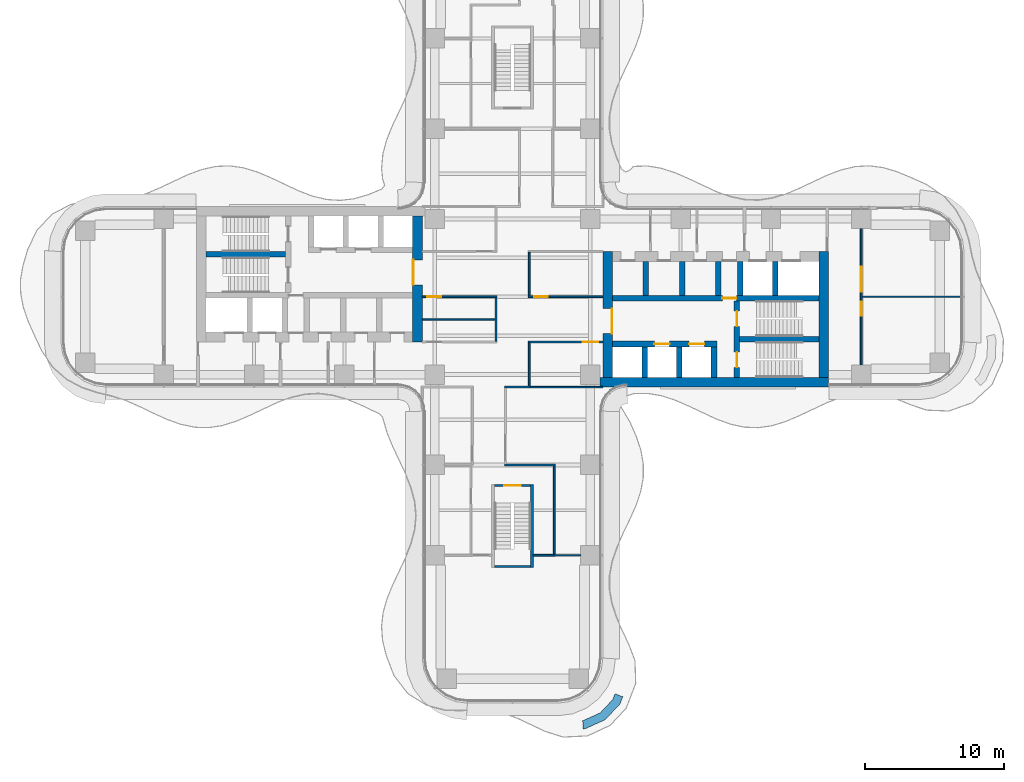
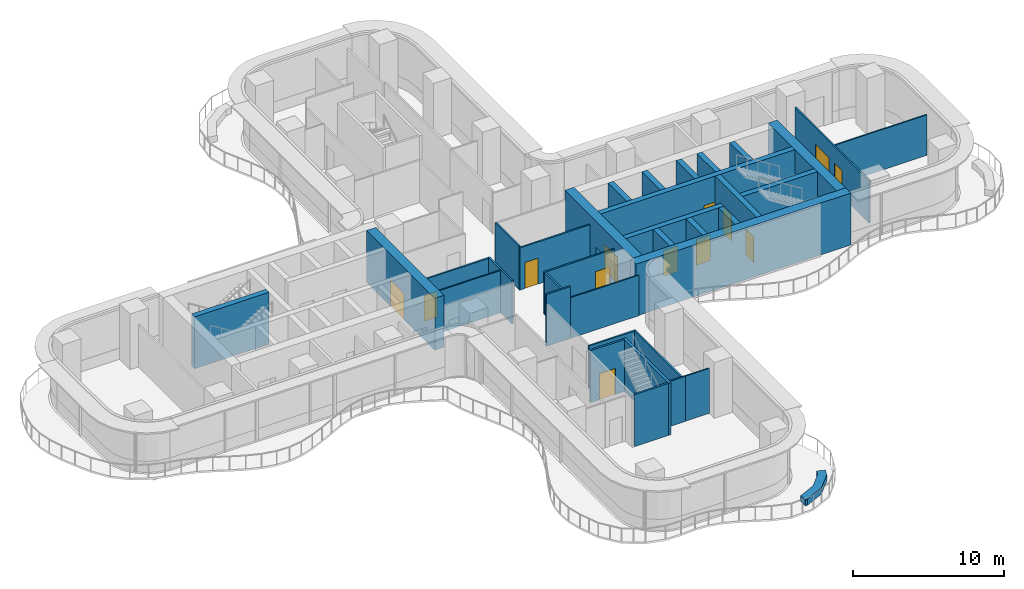
# One storey, part 18 of 22: 36 walls, 13 doors, 13 openings.
"""IFC4 building model written with IfcOpenShell, lengths in metres."""

from ifc_helpers import new_model, si_unit, direction, frame, frame_2d, origin, place, context, subcontext, project, spatial, polyline, rectangle, outline, extrude, source, transform, mapped, material, layer, layer_set, type_object, element, fill, save


model = new_model("IFC4")

# Units and contexts
model_context = context("Model", 3, precision=1e-05, world=origin(), true_north=direction((0.0, 1.0)))
body_context = subcontext(model_context, "Body", "Model", "MODEL_VIEW")
ifc_project = project(units=[si_unit("LENGTHUNIT", "METRE"), si_unit("AREAUNIT", "SQUARE_METRE"), si_unit("VOLUMEUNIT", "CUBIC_METRE"), si_unit("PLANEANGLEUNIT", "RADIAN"), si_unit("MASSUNIT", "GRAM", prefix="KILO")], contexts=[model_context])

# Site, building, storey
site_placement = place(None, origin())
site = spatial("IfcSite", under=ifc_project, at=site_placement, CompositionType="ELEMENT")
building_placement = place(site_placement, origin())
building = spatial("IfcBuilding", under=site, at=building_placement, Name="Trellis Farm Tower", CompositionType="ELEMENT")
storey_placement = place(building_placement, frame((0.0, 0.0, 88.0)))
storey = spatial("IfcBuildingStorey", under=building, at=storey_placement, Name="L18", CompositionType="ELEMENT", Elevation=88.0)

# Walls
ifc_material_1 = material(Name="Plasterboard on steel studs", Category="steel")
ifc_layer_1 = layer(ifc_material_1, 0.10009765625)
ifc_layer_set_1 = layer_set([ifc_layer_1], Name="PARTITION 100 STUD EI 30")
wall_type_1 = type_object("IfcWallType", Name="PARTITION 100 STUD EI 30", PredefinedType="PARTITIONING", material=ifc_layer_set_1)
wall_1_placement = place(storey_placement, frame((-6.5, -1.625, 0.0), z_axis=(0.0, 0.0, 1.0), x_axis=(1.0, 0.0, 0.0)))
element("IfcWall", 1, at=wall_1_placement, inside=storey, type_object=wall_type_1, Name="Partition PW2", PredefinedType="PARTITIONING", context=body_context, shape_type="SweptSolid", body=[
    extrude(rectangle(XDim=5.237548828125, YDim=0.10009765625, at=frame_2d((2.61865234375, 0.0))), origin(), (0.0, 0.0, 1.0), 3.417724609375),
])
wall_2_placement = place(storey_placement, frame((25.16259765625, 0.0, 0.0), z_axis=(0.0, 0.0, 1.0), x_axis=(1.0, 0.0, 0.0)))
element("IfcWall", 2, at=wall_2_placement, inside=storey, type_object=wall_type_1, Name="Partition PW2", PredefinedType="PARTITIONING", context=body_context, shape_type="SweptSolid", body=[
    extrude(rectangle(XDim=7.137451171875, YDim=0.10009765625, at=frame_2d((3.56884765625, 0.0))), origin(), (0.0, 0.0, 1.0), 3.280029296875),
])
ifc_material_2 = material(Name="Plasterboard on steel studs, mineral wool", Category="steel")
ifc_layer_2 = layer(ifc_material_2, 0.125)
ifc_layer_set_2 = layer_set([ifc_layer_2], Name="PARTITION 125 STUD EI 60")
wall_type_2 = type_object("IfcWallType", Name="PARTITION 125 STUD EI 60", PredefinedType="PARTITIONING", material=ifc_layer_set_2)
wall_3_placement = place(storey_placement, frame((3.0, -12.16259765625, 0.0), z_axis=(0.0, 0.0, 1.0), x_axis=(0.0, -1.0, 0.0)))
element("IfcWall", 3, at=wall_3_placement, inside=storey, type_object=wall_type_2, Name="Partition PW1", PredefinedType="PARTITIONING", context=body_context, shape_type="SweptSolid", body=[
    extrude(rectangle(XDim=6.387451171875, YDim=0.125, at=frame_2d((3.19384765625, 0.0))), origin(), (0.0, 0.0, 1.0), 3.417724609375),
])
ifc_material_3 = material(Name="Sandstone faced masonry planter", Category="masonry")
ifc_layer_3 = layer(ifc_material_3, 0.60009765625)
ifc_layer_set_3 = layer_set([ifc_layer_3], Name="PLANTER BED 600")
wall_type_3 = type_object("IfcWallType", Name="PLANTER BED 600", PredefinedType="USERDEFINED", material=ifc_layer_set_3)
wall_4_placement = place(storey_placement, origin())
element("IfcWall", 4, at=wall_4_placement, inside=storey, type_object=wall_type_3, Name="PLANTER bed", ObjectType="PLANTER", PredefinedType="USERDEFINED", context=body_context, shape_type="SweptSolid", body=[
    extrude(outline(polyline([(6.669921875, -30.438720703125), (5.242919921875, -31.087158203125), (5.072265625, -31.094482421875), (5.046630859375, -30.4951171875), (5.1005859375, -30.49267578125), (6.3134765625, -29.94140625), (7.216064453125, -28.979248046875), (7.371337890625, -28.571044921875), (7.93212890625, -28.784423828125), (7.734619140625, -29.30322265625), (6.669921875, -30.438720703125)])), origin(), (0.0, 0.0, 1.0), 0.5),
])

# Wall, opening, door
ifc_material_4 = material(Name="Concrete C80/95", Category="concrete")
ifc_layer_4 = layer(ifc_material_4, 0.699951171875)
ifc_layer_set_4 = layer_set([ifc_layer_4], Name="CORE OUTER WALL 700 CONCRETE C80/95")
wall_type_4 = type_object("IfcWallType", Name="CORE OUTER WALL 700 CONCRETE C80/95", PredefinedType="SHEAR", material=ifc_layer_set_4)
shared_shape_1 = source(origin(), body_context, "Body", "SweptSolid", [
    extrude(rectangle(XDim=9.050048828125, YDim=0.699951171875, at=frame_2d((4.52490234375, 0.0))), origin(), (0.0, 0.0, 1.0), 4.199951171875),
])
wall_5_placement = place(storey_placement, frame((6.85009765625, -5.800048828125, 0.0), z_axis=(0.0, 0.0, 1.0), x_axis=(0.0, 1.0, 0.0)))
wall_5 = element("IfcWall", 5, at=wall_5_placement, inside=storey, type_object=wall_type_4, Name="Core wall", PredefinedType="SHEAR", context=body_context, shape_type="MappedRepresentation", body=[
    mapped(shared_shape_1, transform((0.0, 0.0, 0.0))),
])
shared_shape_2 = source(origin(), body_context, "Body", "SweptSolid", [
    extrude(rectangle(XDim=1.800048828125, YDim=2.10009765625, at=frame_2d((0.89990234375, 1.050048828125))), frame((0.0, 0.360107421875, 0.0), z_axis=(0.0, -1.0, 0.0), x_axis=(1.0, 0.0, 0.0)), (0.0, 0.0, 1.0), 0.72021484375),
])
opening_1_placement = place(wall_5_placement, frame((3.14990234375, 0.0, 0.0)))
opening_1 = element("IfcOpeningElement", 6, at=opening_1_placement, cuts=wall_5, Name="Opening DC1", PredefinedType="OPENING", context=body_context, shape_type="MappedRepresentation", body=[
    mapped(shared_shape_2, transform((0.0, 0.0, 0.0))),
])
ifc_material_5 = material(Name="Steel", Category="steel")
door_type_1 = type_object("IfcDoorType", Name="CORE FIRE DOOR DOUBLE 1800 X 2100", OperationType="DOUBLE_DOOR_SINGLE_SWING", PredefinedType="DOOR", material=ifc_material_5)
shared_shape_3 = source(origin(), body_context, "Body", "SweptSolid", [
    extrude(rectangle(XDim=1.800048828125, YDim=2.10009765625, at=frame_2d((0.89990234375, 1.050048828125))), frame((0.0, -0.27490234375, 0.0), z_axis=(0.0, -1.0, 0.0), x_axis=(1.0, 0.0, 0.0)), (0.0, 0.0, 1.0), 0.050048828125),
])
door_1_placement = place(opening_1_placement, origin())
door_1 = element("IfcDoor", 7, at=door_1_placement, inside=storey, type_object=door_type_1, Name="Core door", OperationType="DOUBLE_DOOR_SINGLE_SWING", OverallHeight=2.10009765625, OverallWidth=1.800048828125, PredefinedType="DOOR", context=body_context, shape_type="MappedRepresentation", body=[
    mapped(shared_shape_3, transform((0.0, 0.0, 0.0))),
])
fill(opening_1, door_1)

# Wall
wall_6_placement = place(storey_placement, frame((22.39990234375, -5.800048828125, 0.0), z_axis=(0.0, 0.0, 1.0), x_axis=(0.0, 1.0, 0.0)))
element("IfcWall", 8, at=wall_6_placement, inside=storey, type_object=wall_type_4, Name="Core wall", PredefinedType="SHEAR", context=body_context, shape_type="MappedRepresentation", body=[
    mapped(shared_shape_1, transform((0.0, 0.0, 0.0))),
])

# Wall, opening, door
wall_7_placement = place(storey_placement, frame((-6.85009765625, 5.800048828125, 0.0), z_axis=(0.0, 0.0, 1.0), x_axis=(0.0, -1.0, 0.0)))
wall_7 = element("IfcWall", 9, at=wall_7_placement, inside=storey, type_object=wall_type_4, Name="Core wall", PredefinedType="SHEAR", context=body_context, shape_type="MappedRepresentation", body=[
    mapped(shared_shape_1, transform((0.0, 0.0, 0.0))),
])
opening_2_placement = place(wall_7_placement, frame((3.14990234375, 0.0, 0.0)))
opening_2 = element("IfcOpeningElement", 10, at=opening_2_placement, cuts=wall_7, Name="Opening DC87", PredefinedType="OPENING", context=body_context, shape_type="MappedRepresentation", body=[
    mapped(shared_shape_2, transform((0.0, 0.0, 0.0))),
])
door_2_placement = place(opening_2_placement, origin())
door_2 = element("IfcDoor", 11, at=door_2_placement, inside=storey, type_object=door_type_1, Name="Core door", OperationType="DOUBLE_DOOR_SINGLE_SWING", OverallHeight=2.10009765625, OverallWidth=1.800048828125, PredefinedType="DOOR", context=body_context, shape_type="MappedRepresentation", body=[
    mapped(shared_shape_3, transform((0.0, 0.0, 0.0))),
])
fill(opening_2, door_2)

# Walls
ifc_layer_5 = layer(ifc_material_4, 0.39990234375)
ifc_layer_set_5 = layer_set([ifc_layer_5], Name="CORE INNER WALL 400 CONCRETE C80/95")
wall_type_5 = type_object("IfcWallType", Name="CORE INNER WALL 400 CONCRETE C80/95", PredefinedType="SHEAR", material=ifc_layer_set_5)
shared_shape_4 = source(origin(), body_context, "Body", "SweptSolid", [
    extrude(rectangle(XDim=2.199951171875, YDim=0.39990234375, at=frame_2d((1.10009765625, 0.0))), origin(), (0.0, 0.0, 1.0), 4.199951171875),
])
for number, where, z_axis, x_axis, name in (
    (12, (9.5, -5.800048828125, 0.0), (0.0, 0.0, 1.0), (0.0, 1.0, 0.0), "Core wall"),
    (13, (12.0, -5.800048828125, 0.0), (0.0, 0.0, 1.0), (0.0, 1.0, 0.0), "Core wall"),
    (14, (14.5, -5.800048828125, 0.0), (0.0, 0.0, 1.0), (0.0, 1.0, 0.0), "Core wall"),
):
    element("IfcWall", number, at=place(storey_placement, frame(where, z_axis=z_axis, x_axis=x_axis)), inside=storey, type_object=wall_type_5, Name=name, PredefinedType="SHEAR", context=body_context, shape_type="MappedRepresentation", body=[
        mapped(shared_shape_4, transform((0.0, 0.0, 0.0))),
    ])
shared_shape_5 = source(origin(), body_context, "Body", "SweptSolid", [
    extrude(rectangle(XDim=2.449951171875, YDim=0.39990234375, at=frame_2d((1.22509765625, 0.0))), origin(), (0.0, 0.0, 1.0), 4.199951171875),
])
for number, where, z_axis, x_axis, name in (
    (15, (9.60009765625, 0.10009765625, 0.0), (0.0, 0.0, 1.0), (0.0, 1.0, 0.0), "Core wall"),
    (16, (12.199951171875, 0.10009765625, 0.0), (0.0, 0.0, 1.0), (0.0, 1.0, 0.0), "Core wall"),
    (17, (14.800048828125, 0.10009765625, 0.0), (0.0, 0.0, 1.0), (0.0, 1.0, 0.0), "Core wall"),
    (18, (16.39990234375, 0.10009765625, 0.0), (0.0, 0.0, 1.0), (0.0, 1.0, 0.0), "Core wall"),
    (19, (18.89990234375, 0.10009765625, 0.0), (0.0, 0.0, 1.0), (0.0, 1.0, 0.0), "Core wall"),
):
    element("IfcWall", number, at=place(storey_placement, frame(where, z_axis=z_axis, x_axis=x_axis)), inside=storey, type_object=wall_type_5, Name=name, PredefinedType="SHEAR", context=body_context, shape_type="MappedRepresentation", body=[
        mapped(shared_shape_5, transform((0.0, 0.0, 0.0))),
    ])
shared_shape_6 = source(origin(), body_context, "Body", "SweptSolid", [
    extrude(rectangle(XDim=16.449951171875, YDim=0.699951171875, at=frame_2d((8.22509765625, 0.0))), origin(), (0.0, 0.0, 1.0), 4.199951171875),
])
wall_8_placement = place(storey_placement, frame((6.300048828125, -6.14990234375, 0.0), z_axis=(0.0, 0.0, 1.0), x_axis=(1.0, 0.0, 0.0)))
element("IfcWall", 20, at=wall_8_placement, inside=storey, type_object=wall_type_4, Name="Core wall", PredefinedType="SHEAR", context=body_context, shape_type="MappedRepresentation", body=[
    mapped(shared_shape_6, transform((0.0, 0.0, 0.0))),
])

# Wall, openings, doors
shared_shape_7 = source(origin(), body_context, "Body", "SweptSolid", [
    extrude(rectangle(XDim=7.5, YDim=0.39990234375, at=frame_2d((3.75, 0.0))), origin(), (0.0, 0.0, 1.0), 4.199951171875),
])
wall_9_placement = place(storey_placement, frame((7.199951171875, -3.39990234375, 0.0), z_axis=(0.0, 0.0, 1.0), x_axis=(1.0, 0.0, 0.0)))
wall_9 = element("IfcWall", 21, at=wall_9_placement, inside=storey, type_object=wall_type_5, Name="Core wall", PredefinedType="SHEAR", context=body_context, shape_type="MappedRepresentation", body=[
    mapped(shared_shape_7, transform((0.0, 0.0, 0.0))),
])
shared_shape_8 = source(origin(), body_context, "Body", "SweptSolid", [
    extrude(rectangle(XDim=1.10009765625, YDim=2.10009765625, at=frame_2d((0.550048828125, 1.050048828125))), frame((0.0, 0.2099609375, 0.0), z_axis=(0.0, -1.0, 0.0), x_axis=(1.0, 0.0, 0.0)), (0.0, 0.0, 1.0), 0.419921875),
])
opening_3_placement = place(wall_9_placement, frame((3.0, 0.0, 0.0)))
opening_3 = element("IfcOpeningElement", 22, at=opening_3_placement, cuts=wall_9, Name="Opening LD2", PredefinedType="OPENING", context=body_context, shape_type="MappedRepresentation", body=[
    mapped(shared_shape_8, transform((0.0, 0.0, 0.0))),
])
opening_4_placement = place(wall_9_placement, frame((5.5, 0.0, 0.0)))
opening_4 = element("IfcOpeningElement", 23, at=opening_4_placement, cuts=wall_9, Name="Opening LD3", PredefinedType="OPENING", context=body_context, shape_type="MappedRepresentation", body=[
    mapped(shared_shape_8, transform((0.0, 0.0, 0.0))),
])
ifc_material_6 = material(Name="Stainless steel", Category="steel")
door_type_2 = type_object("IfcDoorType", Name="LIFT LANDING DOOR 1100 X 2100", OperationType="DOUBLE_DOOR_SLIDING", PredefinedType="DOOR", material=ifc_material_6)
shared_shape_9 = source(origin(), body_context, "Body", "SweptSolid", [
    extrude(rectangle(XDim=1.10009765625, YDim=2.10009765625, at=frame_2d((0.550048828125, 1.050048828125))), frame((0.0, 0.02490234375, 0.0), z_axis=(0.0, -1.0, 0.0), x_axis=(1.0, 0.0, 0.0)), (0.0, 0.0, 1.0), 0.050048828125),
])
door_3_placement = place(opening_3_placement, origin())
door_3 = element("IfcDoor", 24, at=door_3_placement, inside=storey, type_object=door_type_2, Name="Lift landing door", OperationType="DOUBLE_DOOR_SLIDING", OverallHeight=2.10009765625, OverallWidth=1.10009765625, PredefinedType="DOOR", context=body_context, shape_type="MappedRepresentation", body=[
    mapped(shared_shape_9, transform((0.0, 0.0, 0.0))),
])
fill(opening_3, door_3)
door_4_placement = place(opening_4_placement, origin())
door_4 = element("IfcDoor", 25, at=door_4_placement, inside=storey, type_object=door_type_2, Name="Lift landing door", OperationType="DOUBLE_DOOR_SLIDING", OverallHeight=2.10009765625, OverallWidth=1.10009765625, PredefinedType="DOOR", context=body_context, shape_type="MappedRepresentation", body=[
    mapped(shared_shape_9, transform((0.0, 0.0, 0.0))),
])
fill(opening_4, door_4)

# Wall, opening, door
shared_shape_10 = source(origin(), body_context, "Body", "SweptSolid", [
    extrude(rectangle(XDim=14.85009765625, YDim=0.39990234375, at=frame_2d((7.425048828125, 0.0))), origin(), (0.0, 0.0, 1.0), 4.199951171875),
])
wall_10_placement = place(storey_placement, frame((7.199951171875, -0.10009765625, 0.0), z_axis=(0.0, 0.0, 1.0), x_axis=(1.0, 0.0, 0.0)))
wall_10 = element("IfcWall", 26, at=wall_10_placement, inside=storey, type_object=wall_type_5, Name="Core wall", PredefinedType="SHEAR", context=body_context, shape_type="MappedRepresentation", body=[
    mapped(shared_shape_10, transform((0.0, 0.0, 0.0))),
])
shared_shape_11 = source(origin(), body_context, "Body", "SweptSolid", [
    extrude(rectangle(XDim=1.0, YDim=2.10009765625, at=frame_2d((0.5, 1.050048828125))), frame((0.0, 0.2099609375, 0.0), z_axis=(0.0, -1.0, 0.0), x_axis=(1.0, 0.0, 0.0)), (0.0, 0.0, 1.0), 0.419921875),
])
opening_5_placement = place(wall_10_placement, frame((7.89990234375, 0.0, 0.0)))
opening_5 = element("IfcOpeningElement", 27, at=opening_5_placement, cuts=wall_10, Name="Opening DC5", PredefinedType="OPENING", context=body_context, shape_type="MappedRepresentation", body=[
    mapped(shared_shape_11, transform((0.0, 0.0, 0.0))),
])
door_type_3 = type_object("IfcDoorType", Name="CORE FIRE DOOR 1000 X 2100", OperationType="NOTDEFINED", PredefinedType="DOOR", material=ifc_material_5)
shared_shape_12 = source(origin(), body_context, "Body", "SweptSolid", [
    extrude(rectangle(XDim=1.0, YDim=2.10009765625, at=frame_2d((0.5, 1.050048828125))), frame((0.0, 0.02490234375, 0.0), z_axis=(0.0, -1.0, 0.0), x_axis=(1.0, 0.0, 0.0)), (0.0, 0.0, 1.0), 0.050048828125),
])
door_5_placement = place(opening_5_placement, origin())
door_5 = element("IfcDoor", 28, at=door_5_placement, inside=storey, type_object=door_type_3, Name="Core door", OperationType="SINGLE_SWING_RIGHT", OverallHeight=2.10009765625, OverallWidth=1.0, PredefinedType="DOOR", context=body_context, shape_type="MappedRepresentation", body=[
    mapped(shared_shape_12, transform((0.0, 0.0, 0.0))),
])
fill(opening_5, door_5)

# Wall, openings, doors
shared_shape_13 = source(origin(), body_context, "Body", "SweptSolid", [
    extrude(rectangle(XDim=5.5, YDim=0.39990234375, at=frame_2d((2.75, 0.0))), origin(), (0.0, 0.0, 1.0), 4.199951171875),
])
wall_11_placement = place(storey_placement, frame((16.14990234375, -5.800048828125, 0.0), z_axis=(0.0, 0.0, 1.0), x_axis=(0.0, 1.0, 0.0)))
wall_11 = element("IfcWall", 29, at=wall_11_placement, inside=storey, type_object=wall_type_5, Name="Core wall", PredefinedType="SHEAR", context=body_context, shape_type="MappedRepresentation", body=[
    mapped(shared_shape_13, transform((0.0, 0.0, 0.0))),
])
opening_6_placement = place(wall_11_placement, frame((0.72509765625, 0.0, 0.0)))
opening_6 = element("IfcOpeningElement", 30, at=opening_6_placement, cuts=wall_11, Name="Opening DC2", PredefinedType="OPENING", context=body_context, shape_type="MappedRepresentation", body=[
    mapped(shared_shape_8, transform((0.0, 0.0, 0.0))),
])
opening_7_placement = place(wall_11_placement, frame((3.675048828125, 0.0, 0.0)))
opening_7 = element("IfcOpeningElement", 31, at=opening_7_placement, cuts=wall_11, Name="Opening DC3", PredefinedType="OPENING", context=body_context, shape_type="MappedRepresentation", body=[
    mapped(shared_shape_8, transform((0.0, 0.0, 0.0))),
])
door_type_4 = type_object("IfcDoorType", Name="CORE FIRE DOOR 1100 X 2100", OperationType="NOTDEFINED", PredefinedType="DOOR", material=ifc_material_5)
door_6_placement = place(opening_6_placement, origin())
door_6 = element("IfcDoor", 32, at=door_6_placement, inside=storey, type_object=door_type_4, Name="Core door", OperationType="SINGLE_SWING_RIGHT", OverallHeight=2.10009765625, OverallWidth=1.10009765625, PredefinedType="DOOR", context=body_context, shape_type="MappedRepresentation", body=[
    mapped(shared_shape_9, transform((0.0, 0.0, 0.0))),
])
fill(opening_6, door_6)
door_7_placement = place(opening_7_placement, origin())
door_7 = element("IfcDoor", 33, at=door_7_placement, inside=storey, type_object=door_type_4, Name="Core door", OperationType="SINGLE_SWING_LEFT", OverallHeight=2.10009765625, OverallWidth=1.10009765625, PredefinedType="DOOR", context=body_context, shape_type="MappedRepresentation", body=[
    mapped(shared_shape_9, transform((0.0, 0.0, 0.0))),
])
fill(opening_7, door_7)

# Walls
shared_shape_14 = source(origin(), body_context, "Body", "SweptSolid", [
    extrude(rectangle(XDim=5.699951171875, YDim=0.39990234375, at=frame_2d((2.85009765625, 0.0))), origin(), (0.0, 0.0, 1.0), 4.199951171875),
])
for number, where, z_axis, x_axis, name in (
    (34, (16.35009765625, -3.050048828125, 0.0), (0.0, 0.0, 1.0), (1.0, 0.0, 0.0), "Core wall"),
    (35, (-16.35009765625, 3.050048828125, 0.0), (0.0, 0.0, 1.0), (-1.0, 0.0, 0.0), "Core wall"),
):
    element("IfcWall", number, at=place(storey_placement, frame(where, z_axis=z_axis, x_axis=x_axis)), inside=storey, type_object=wall_type_5, Name=name, PredefinedType="SHEAR", context=body_context, shape_type="MappedRepresentation", body=[
        mapped(shared_shape_14, transform((0.0, 0.0, 0.0))),
    ])
ifc_layer_6 = layer(ifc_material_4, 0.199951171875)
ifc_layer_set_6 = layer_set([ifc_layer_6], Name="CORE STAIR ENCLOSURE WALL 200 CONCRETE C80/95")
wall_type_6 = type_object("IfcWallType", Name="CORE STAIR ENCLOSURE WALL 200 CONCRETE C80/95", PredefinedType="SHEAR", material=ifc_layer_set_6)
shared_shape_15 = source(origin(), body_context, "Body", "SweptSolid", [
    extrude(rectangle(XDim=6.0, YDim=0.199951171875, at=frame_2d((3.0, 0.0))), origin(), (0.0, 0.0, 1.0), 4.199951171875),
])
wall_12_placement = place(storey_placement, frame((1.39990234375, -13.5, 0.0), z_axis=(0.0, 0.0, 1.0), x_axis=(0.0, -1.0, 0.0)))
element("IfcWall", 36, at=wall_12_placement, inside=storey, type_object=wall_type_6, Name="Stair enclosure wall", PredefinedType="SHEAR", context=body_context, shape_type="MappedRepresentation", body=[
    mapped(shared_shape_15, transform((0.0, 0.0, 0.0))),
])

# Wall, opening, door
ifc_layer_7 = layer(ifc_material_4, 0.14990234375)
ifc_layer_set_7 = layer_set([ifc_layer_7], Name="CORE STAIR ENCLOSURE WALL 150 CONCRETE C80/95")
wall_type_7 = type_object("IfcWallType", Name="CORE STAIR ENCLOSURE WALL 150 CONCRETE C80/95", PredefinedType="SHEAR", material=ifc_layer_set_7)
shared_shape_16 = source(origin(), body_context, "Body", "SweptSolid", [
    extrude(rectangle(XDim=2.60009765625, YDim=0.14990234375, at=frame_2d((1.300048828125, 0.0))), origin(), (0.0, 0.0, 1.0), 4.199951171875),
])
wall_13_placement = place(storey_placement, frame((1.300048828125, -13.574951171875, 0.0), z_axis=(0.0, 0.0, 1.0), x_axis=(-1.0, 0.0, 0.0)))
wall_13 = element("IfcWall", 37, at=wall_13_placement, inside=storey, type_object=wall_type_7, Name="Stair enclosure wall", PredefinedType="SHEAR", context=body_context, shape_type="MappedRepresentation", body=[
    mapped(shared_shape_16, transform((0.0, 0.0, 0.0))),
])
shared_shape_17 = source(origin(), body_context, "Body", "SweptSolid", [
    extrude(rectangle(XDim=1.199951171875, YDim=2.10009765625, at=frame_2d((0.60009765625, 1.050048828125))), frame((0.0, 0.0849609375, 0.0), z_axis=(0.0, -1.0, 0.0), x_axis=(1.0, 0.0, 0.0)), (0.0, 0.0, 1.0), 0.169921875),
])
opening_8_placement = place(wall_13_placement, frame((0.699951171875, 0.0, 0.0)))
opening_8 = element("IfcOpeningElement", 38, at=opening_8_placement, cuts=wall_13, Name="Opening DC174", PredefinedType="OPENING", context=body_context, shape_type="MappedRepresentation", body=[
    mapped(shared_shape_17, transform((0.0, 0.0, 0.0))),
])
door_type_5 = type_object("IfcDoorType", Name="CORE FIRE DOOR 1200 X 2100", OperationType="NOTDEFINED", PredefinedType="DOOR", material=ifc_material_5)
shared_shape_18 = source(origin(), body_context, "Body", "SweptSolid", [
    extrude(rectangle(XDim=1.199951171875, YDim=2.10009765625, at=frame_2d((0.60009765625, 1.050048828125))), frame((0.0, 0.02490234375, 0.0), z_axis=(0.0, -1.0, 0.0), x_axis=(1.0, 0.0, 0.0)), (0.0, 0.0, 1.0), 0.050048828125),
])
door_8_placement = place(opening_8_placement, origin())
door_8 = element("IfcDoor", 39, at=door_8_placement, inside=storey, type_object=door_type_5, Name="Core door", OperationType="SINGLE_SWING_RIGHT", OverallHeight=2.10009765625, OverallWidth=1.199951171875, PredefinedType="DOOR", context=body_context, shape_type="MappedRepresentation", body=[
    mapped(shared_shape_18, transform((0.0, 0.0, 0.0))),
])
fill(opening_8, door_8)

# Walls
wall_14_placement = place(storey_placement, frame((1.300048828125, -19.425048828125, 0.0), z_axis=(0.0, 0.0, 1.0), x_axis=(-1.0, 0.0, 0.0)))
element("IfcWall", 40, at=wall_14_placement, inside=storey, type_object=wall_type_7, Name="Stair enclosure wall", PredefinedType="SHEAR", context=body_context, shape_type="MappedRepresentation", body=[
    mapped(shared_shape_16, transform((0.0, 0.0, 0.0))),
])
shared_shape_19 = source(origin(), body_context, "Body", "SweptSolid", [
    extrude(rectangle(XDim=3.137451171875, YDim=0.125, at=frame_2d((1.56884765625, 0.0))), origin(), (0.0, 0.0, 1.0), 3.417724609375),
])
wall_15_placement = place(storey_placement, frame((1.199951171875, -3.3125, 0.0), z_axis=(0.0, 0.0, 1.0), x_axis=(0.0, -1.0, 0.0)))
element("IfcWall", 41, at=wall_15_placement, inside=storey, type_object=wall_type_2, Name="Partition PW1", PredefinedType="PARTITIONING", context=body_context, shape_type="MappedRepresentation", body=[
    mapped(shared_shape_19, transform((0.0, 0.0, 0.0))),
])
shared_shape_20 = source(origin(), body_context, "Body", "SweptSolid", [
    extrude(rectangle(XDim=3.125, YDim=0.125, at=frame_2d((1.5625, 0.0))), origin(), (0.0, 0.0, 1.0), 3.496337890625),
])
for number, where, z_axis, x_axis, name in (
    (42, (-1.199951171875, -0.0625, 0.0), (0.0, 0.0, 1.0), (0.0, -1.0, 0.0), "Partition PW1"),
    (43, (1.199951171875, 3.1875, 0.0), (0.0, 0.0, 1.0), (0.0, -1.0, 0.0), "Partition PW1"),
):
    element("IfcWall", number, at=place(storey_placement, frame(where, z_axis=z_axis, x_axis=x_axis)), inside=storey, type_object=wall_type_2, Name=name, PredefinedType="PARTITIONING", context=body_context, shape_type="MappedRepresentation", body=[
        mapped(shared_shape_20, transform((0.0, 0.0, 0.0))),
    ])

# Wall, openings, doors
shared_shape_21 = source(origin(), body_context, "Body", "SweptSolid", [
    extrude(rectangle(XDim=9.7998046875, YDim=0.125, at=frame_2d((4.89990234375, 0.0))), origin(), (0.0, 0.0, 1.0), 3.417724609375),
])
wall_16_placement = place(storey_placement, frame((25.10009765625, 4.89990234375, 0.0), z_axis=(0.0, 0.0, 1.0), x_axis=(0.0, -1.0, 0.0)))
wall_16 = element("IfcWall", 44, at=wall_16_placement, inside=storey, type_object=wall_type_2, Name="Partition PW1", PredefinedType="PARTITIONING", context=body_context, shape_type="MappedRepresentation", body=[
    mapped(shared_shape_21, transform((0.0, 0.0, 0.0))),
])
shared_shape_22 = source(origin(), body_context, "Body", "SweptSolid", [
    extrude(rectangle(XDim=1.0, YDim=2.10009765625, at=frame_2d((0.5, 1.050048828125))), frame((0.0, 0.072509765625, 0.0), z_axis=(0.0, -1.0, 0.0), x_axis=(1.0, 0.0, 0.0)), (0.0, 0.0, 1.0), 0.14501953125),
])
opening_9_placement = place(wall_16_placement, frame((5.25, 0.0, 0.0)))
opening_9 = element("IfcOpeningElement", 45, at=opening_9_placement, cuts=wall_16, Name="Opening D106", PredefinedType="OPENING", context=body_context, shape_type="MappedRepresentation", body=[
    mapped(shared_shape_22, transform((0.0, 0.0, 0.0))),
])
shared_shape_23 = source(origin(), body_context, "Body", "SweptSolid", [
    extrude(rectangle(XDim=1.800048828125, YDim=2.10009765625, at=frame_2d((0.89990234375, 1.050048828125))), frame((0.0, 0.072509765625, 0.0), z_axis=(0.0, -1.0, 0.0), x_axis=(1.0, 0.0, 0.0)), (0.0, 0.0, 1.0), 0.14501953125),
])
opening_10_placement = place(wall_16_placement, frame((2.75, 0.0, 0.0)))
opening_10 = element("IfcOpeningElement", 46, at=opening_10_placement, cuts=wall_16, Name="Opening D202", PredefinedType="OPENING", context=body_context, shape_type="MappedRepresentation", body=[
    mapped(shared_shape_23, transform((0.0, 0.0, 0.0))),
])
ifc_material_7 = material(Name="Fire-rated timber door leaf in a hollow metal frame", Category="wood")
door_type_6 = type_object("IfcDoorType", Name="DOOR 1000x2100 FD30S", OperationType="NOTDEFINED", PredefinedType="DOOR", material=ifc_material_7)
door_9_placement = place(opening_9_placement, origin())
door_9 = element("IfcDoor", 47, at=door_9_placement, inside=storey, type_object=door_type_6, Name="Door D106", OperationType="SINGLE_SWING_LEFT", OverallHeight=2.10009765625, OverallWidth=1.0, PredefinedType="DOOR", context=body_context, shape_type="MappedRepresentation", body=[
    mapped(shared_shape_12, transform((0.0, 0.0, 0.0))),
])
fill(opening_9, door_9)
door_type_7 = type_object("IfcDoorType", Name="DOOR PAIR 1800x2100 FD30S", OperationType="NOTDEFINED", PredefinedType="DOOR", material=ifc_material_7)
shared_shape_24 = source(origin(), body_context, "Body", "SweptSolid", [
    extrude(rectangle(XDim=1.800048828125, YDim=2.10009765625, at=frame_2d((0.89990234375, 1.050048828125))), frame((0.0, 0.02490234375, 0.0), z_axis=(0.0, -1.0, 0.0), x_axis=(1.0, 0.0, 0.0)), (0.0, 0.0, 1.0), 0.050048828125),
])
door_10_placement = place(opening_10_placement, origin())
door_10 = element("IfcDoor", 48, at=door_10_placement, inside=storey, type_object=door_type_7, Name="Door D202", OperationType="DOUBLE_DOOR_SINGLE_SWING", OverallHeight=2.10009765625, OverallWidth=1.800048828125, PredefinedType="DOOR", context=body_context, shape_type="MappedRepresentation", body=[
    mapped(shared_shape_24, transform((0.0, 0.0, 0.0))),
])
fill(opening_10, door_10)

# Walls
shared_shape_25 = source(origin(), body_context, "Body", "SweptSolid", [
    extrude(rectangle(XDim=1.96240234375, YDim=0.10009765625, at=frame_2d((0.981201171875, 0.0))), origin(), (0.0, 0.0, 1.0), 3.64697265625),
])
wall_17_placement = place(storey_placement, frame((2.9375, -18.60009765625, 0.0), z_axis=(0.0, 0.0, 1.0), x_axis=(1.0, 0.0, 0.0)))
element("IfcWall", 49, at=wall_17_placement, inside=storey, type_object=wall_type_1, Name="Partition PW2", PredefinedType="PARTITIONING", context=body_context, shape_type="MappedRepresentation", body=[
    mapped(shared_shape_25, transform((0.0, 0.0, 0.0))),
])
shared_shape_26 = source(origin(), body_context, "Body", "SweptSolid", [
    extrude(rectangle(XDim=1.5625, YDim=0.125, at=frame_2d((0.78125, 0.0))), origin(), (0.0, 0.0, 1.0), 3.64697265625),
])
wall_18_placement = place(storey_placement, frame((3.0625, -18.60009765625, 0.0), z_axis=(0.0, 0.0, 1.0), x_axis=(-1.0, 0.0, 0.0)))
element("IfcWall", 50, at=wall_18_placement, inside=storey, type_object=wall_type_2, Name="Partition PW1", PredefinedType="PARTITIONING", context=body_context, shape_type="MappedRepresentation", body=[
    mapped(shared_shape_26, transform((0.0, 0.0, 0.0))),
])

# Wall, opening, door
shared_shape_27 = source(origin(), body_context, "Body", "SweptSolid", [
    extrude(rectangle(XDim=5.362548828125, YDim=0.125, at=frame_2d((2.68115234375, 0.0))), origin(), (0.0, 0.0, 1.0), 3.417724609375),
])
wall_19_placement = place(storey_placement, frame((6.5, -3.25, 0.0), z_axis=(0.0, 0.0, 1.0), x_axis=(-1.0, 0.0, 0.0)))
wall_19 = element("IfcWall", 51, at=wall_19_placement, inside=storey, type_object=wall_type_2, Name="Partition PW1", PredefinedType="PARTITIONING", context=body_context, shape_type="MappedRepresentation", body=[
    mapped(shared_shape_27, transform((0.0, 0.0, 0.0))),
])
shared_shape_28 = source(origin(), body_context, "Body", "SweptSolid", [
    extrude(rectangle(XDim=1.10009765625, YDim=2.10009765625, at=frame_2d((0.550048828125, 1.050048828125))), frame((0.0, 0.072509765625, 0.0), z_axis=(0.0, -1.0, 0.0), x_axis=(1.0, 0.0, 0.0)), (0.0, 0.0, 1.0), 0.14501953125),
])
opening_11_placement = place(wall_19_placement, frame((0.35009765625, 0.0, 0.0)))
opening_11 = element("IfcOpeningElement", 52, at=opening_11_placement, cuts=wall_19, Name="Opening D501", PredefinedType="OPENING", context=body_context, shape_type="MappedRepresentation", body=[
    mapped(shared_shape_28, transform((0.0, 0.0, 0.0))),
])
door_type_8 = type_object("IfcDoorType", Name="DOOR 1100x2100 FD30S", OperationType="NOTDEFINED", PredefinedType="DOOR", material=ifc_material_7)
door_11_placement = place(opening_11_placement, origin())
door_11 = element("IfcDoor", 53, at=door_11_placement, inside=storey, type_object=door_type_8, Name="Door D501", OperationType="SINGLE_SWING_LEFT", OverallHeight=2.10009765625, OverallWidth=1.10009765625, PredefinedType="DOOR", context=body_context, shape_type="MappedRepresentation", body=[
    mapped(shared_shape_9, transform((0.0, 0.0, 0.0))),
])
fill(opening_11, door_11)

wall_20_placement = place(storey_placement, frame((-1.137451171875, 0.0, 0.0), z_axis=(0.0, 0.0, 1.0), x_axis=(-1.0, 0.0, 0.0)))
wall_20 = element("IfcWall", 54, at=wall_20_placement, inside=storey, type_object=wall_type_2, Name="Partition PW1", PredefinedType="PARTITIONING", context=body_context, shape_type="MappedRepresentation", body=[
    mapped(shared_shape_27, transform((0.0, 0.0, 0.0))),
])
opening_12_placement = place(wall_20_placement, frame((4.012451171875, 0.0, 0.0)))
opening_12 = element("IfcOpeningElement", 55, at=opening_12_placement, cuts=wall_20, Name="Opening D107", PredefinedType="OPENING", context=body_context, shape_type="MappedRepresentation", body=[
    mapped(shared_shape_22, transform((0.0, 0.0, 0.0))),
])
door_12_placement = place(opening_12_placement, origin())
door_12 = element("IfcDoor", 56, at=door_12_placement, inside=storey, type_object=door_type_6, Name="Door D107", OperationType="SINGLE_SWING_RIGHT", OverallHeight=2.10009765625, OverallWidth=1.0, PredefinedType="DOOR", context=body_context, shape_type="MappedRepresentation", body=[
    mapped(shared_shape_12, transform((0.0, 0.0, 0.0))),
])
fill(opening_12, door_12)

wall_21_placement = place(storey_placement, frame((6.5, 0.0, 0.0), z_axis=(0.0, 0.0, 1.0), x_axis=(-1.0, 0.0, 0.0)))
wall_21 = element("IfcWall", 57, at=wall_21_placement, inside=storey, type_object=wall_type_2, Name="Partition PW1", PredefinedType="PARTITIONING", context=body_context, shape_type="MappedRepresentation", body=[
    mapped(shared_shape_27, transform((0.0, 0.0, 0.0))),
])
opening_13_placement = place(wall_21_placement, frame((3.949951171875, 0.0, 0.0)))
opening_13 = element("IfcOpeningElement", 58, at=opening_13_placement, cuts=wall_21, Name="Opening D108", PredefinedType="OPENING", context=body_context, shape_type="MappedRepresentation", body=[
    mapped(shared_shape_22, transform((0.0, 0.0, 0.0))),
])
door_13_placement = place(opening_13_placement, origin())
door_13 = element("IfcDoor", 59, at=door_13_placement, inside=storey, type_object=door_type_6, Name="Door D108", OperationType="SINGLE_SWING_RIGHT", OverallHeight=2.10009765625, OverallWidth=1.0, PredefinedType="DOOR", context=body_context, shape_type="MappedRepresentation", body=[
    mapped(shared_shape_12, transform((0.0, 0.0, 0.0))),
])
fill(opening_13, door_13)

# Walls
shared_shape_29 = source(origin(), body_context, "Body", "SweptSolid", [
    extrude(rectangle(XDim=5.362548828125, YDim=0.10009765625, at=frame_2d((2.68115234375, 0.0))), origin(), (0.0, 0.0, 1.0), 3.280029296875),
])
wall_22_placement = place(storey_placement, frame((1.137451171875, -6.5, 0.0), z_axis=(0.0, 0.0, 1.0), x_axis=(1.0, 0.0, 0.0)))
element("IfcWall", 60, at=wall_22_placement, inside=storey, type_object=wall_type_1, Name="Partition PW2", PredefinedType="PARTITIONING", context=body_context, shape_type="MappedRepresentation", body=[
    mapped(shared_shape_29, transform((0.0, 0.0, 0.0))),
])
shared_shape_30 = source(origin(), body_context, "Body", "SweptSolid", [
    extrude(rectangle(XDim=1.824951171875, YDim=0.125, at=frame_2d((0.91259765625, 0.0))), origin(), (0.0, 0.0, 1.0), 4.199951171875),
])
wall_23_placement = place(storey_placement, frame((1.262451171875, -6.5, 0.0), z_axis=(0.0, 0.0, 1.0), x_axis=(-1.0, 0.0, 0.0)))
element("IfcWall", 61, at=wall_23_placement, inside=storey, type_object=wall_type_2, Name="Partition PW1", PredefinedType="PARTITIONING", context=body_context, shape_type="MappedRepresentation", body=[
    mapped(shared_shape_30, transform((0.0, 0.0, 0.0))),
])
shared_shape_31 = source(origin(), body_context, "Body", "SweptSolid", [
    extrude(rectangle(XDim=3.625, YDim=0.125, at=frame_2d((1.8125, 0.0))), origin(), (0.0, 0.0, 1.0), 3.417724609375),
])
wall_24_placement = place(storey_placement, frame((-0.5625, -12.10009765625, 0.0), z_axis=(0.0, 0.0, 1.0), x_axis=(1.0, 0.0, 0.0)))
element("IfcWall", 62, at=wall_24_placement, inside=storey, type_object=wall_type_2, Name="Partition PW1", PredefinedType="PARTITIONING", context=body_context, shape_type="MappedRepresentation", body=[
    mapped(shared_shape_31, transform((0.0, 0.0, 0.0))),
])

save(model, "model.ifc")
